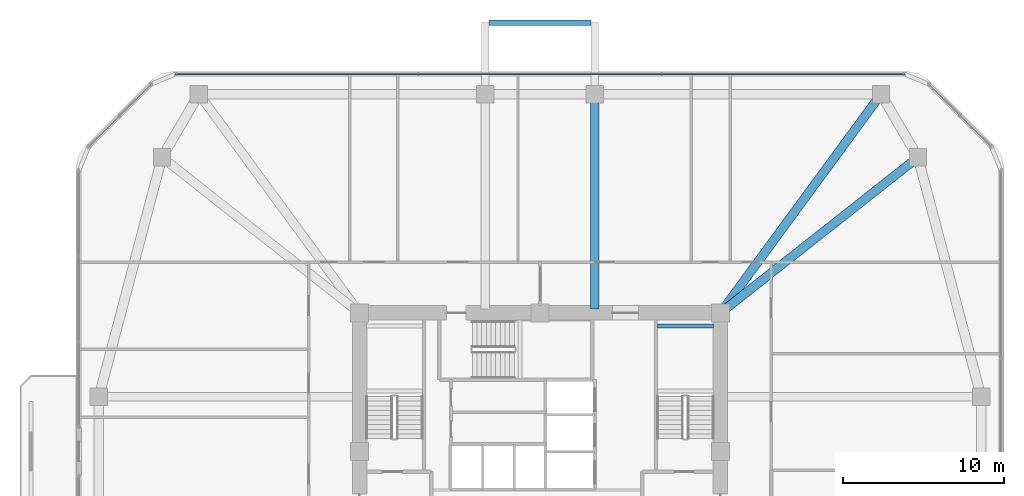
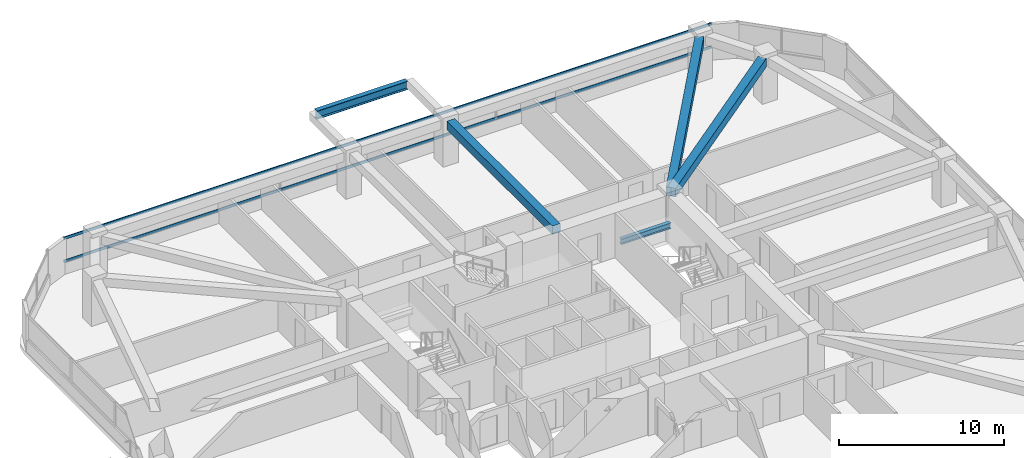
# One storey, part 6 of 14: 5 beams, 2 members, 1 element without a shape of its own.
"""IFC4 building model written with IfcOpenShell, lengths in metres."""

from ifc_helpers import new_model, si_unit, derived_unit, direction, frame, origin, origin_2d, place, context, subcontext, project, spatial, rectangle, i_section, extrude, material, material_profile, profile_set, type_object, element, aggregate, save


model = new_model("IFC4")

# Units and contexts
model_context = context("Model", 3, precision=1e-05, world=origin(), true_north=direction((0.0, 1.0)))
body_context = subcontext(model_context, "Body", "Model", "MODEL_VIEW")
ifc_project = project(units=[si_unit("LENGTHUNIT", "METRE"), si_unit("AREAUNIT", "SQUARE_METRE"), si_unit("VOLUMEUNIT", "CUBIC_METRE"), si_unit("PLANEANGLEUNIT", "RADIAN"), si_unit("MASSUNIT", "GRAM", prefix="KILO"), derived_unit("THERMALTRANSMITTANCEUNIT", [(si_unit("POWERUNIT", "WATT"), 1), (si_unit("LENGTHUNIT", "METRE"), -2), (si_unit("THERMODYNAMICTEMPERATUREUNIT", "KELVIN"), -1)])], contexts=[model_context])

# Site, building, storey
site_placement = place(None, origin())
site = spatial("IfcSite", under=ifc_project, at=site_placement, CompositionType="ELEMENT")
building_placement = place(site_placement, origin())
building = spatial("IfcBuilding", under=site, at=building_placement, Name="Koralith Skygarden Medical Center", CompositionType="ELEMENT")
storey_placement = place(building_placement, frame((0.0, 0.0, 34.739990234375)))
storey = spatial("IfcBuildingStorey", under=building, at=storey_placement, Name="L08", CompositionType="ELEMENT", Elevation=34.739990234375)

# Curtain wall, members
ifc_material_1 = material(Name="Clear Laminated Glass", Category="glass")
curtain_wall_type = type_object("IfcCurtainWallType", Name="CW-2 Zone 1 Hurricane Unitised Curtain Wall", PredefinedType="NOTDEFINED", material=ifc_material_1)
curtain_wall_placement = place(storey_placement, origin())
curtain_wall = element("IfcCurtainWall", 1, at=curtain_wall_placement, inside=storey, type_object=curtain_wall_type, Name="Curtain Wall CW-L08-N", PredefinedType="NOTDEFINED")
ifc_material_2 = material(Name="Aluminium 6063-T6", Category="aluminium")
ifc_material_profile_1 = material_profile(ifc_material_2, rectangle(XDim=0.06591796875, YDim=0.197998046875, at=origin_2d()), Name="TRN66X198")
ifc_profile_set_1 = profile_set([ifc_material_profile_1], Name="Aluminium 6063-T6")
member_type = type_object("IfcMemberType", Name="CW-2 Thermal Transom 66x198", PredefinedType="USERDEFINED", material=ifc_profile_set_1)
member_1_placement = place(storey_placement, frame((59.64501953125, 49.320068359375, 0.89990234375), z_axis=(-1.0, 0.0, 0.0), x_axis=(0.0, -1.0, 0.0)))
member_1 = element("IfcMember", 2, at=member_1_placement, type_object=member_type, Name="CW-L08-N Transom 1", ObjectType="TRANSOM", PredefinedType="USERDEFINED", context=body_context, shape_type="SweptSolid", body=[
    extrude(rectangle(XDim=0.06591796875, YDim=0.197998046875, at=origin_2d()), origin(), (0.0, 0.0, 1.0), 45.2900390625),
])
member_2_placement = place(storey_placement, frame((59.64501953125, 49.320068359375, 2.60009765625), z_axis=(-1.0, 0.0, 0.0), x_axis=(0.0, -1.0, 0.0)))
member_2 = element("IfcMember", 3, at=member_2_placement, type_object=member_type, Name="CW-L08-N Transom 2", ObjectType="TRANSOM", PredefinedType="USERDEFINED", context=body_context, shape_type="SweptSolid", body=[
    extrude(rectangle(XDim=0.06591796875, YDim=0.197998046875, at=origin_2d()), origin(), (0.0, 0.0, 1.0), 45.2900390625),
])
aggregate(curtain_wall, [member_1, member_2])

# Beams
ifc_material_3 = material(Name="Steel ASTM A992 Grade 50", Category="steel")
ifc_material_profile_2 = material_profile(ifc_material_3, i_section(OverallWidth=0.326904296875, OverallDepth=0.6220703125, WebThickness=0.015380859375, FlangeThickness=0.0244140625, at=origin_2d()), Name="W24X131")
ifc_profile_set_2 = profile_set([ifc_material_profile_2], Name="Steel ASTM A992 Grade 50")
beam_type_1 = type_object("IfcBeamType", Name="Cantilever Tie Beam W24X131", PredefinedType="BEAM", material=ifc_profile_set_2)
beam_1_placement = place(storey_placement, frame((33.820068359375, 52.52001953125, 3.029052734375), z_axis=(1.0, 0.0, 0.0), x_axis=(0.0, 1.0, 0.0)))
element("IfcBeam", 4, at=beam_1_placement, inside=storey, type_object=beam_type_1, Name="L09 N Balcony Tip Tie Beam", PredefinedType="BEAM", context=body_context, shape_type="SweptSolid", body=[
    extrude(i_section(OverallWidth=0.326904296875, OverallDepth=0.6220703125, WebThickness=0.015380859375, FlangeThickness=0.0244140625, at=origin_2d()), origin(), (0.0, 0.0, 1.0), 6.35986328125),
])
ifc_material_profile_3 = material_profile(ifc_material_3, i_section(OverallWidth=0.260009765625, OverallDepth=0.4150390625, WebThickness=0.010009765625, FlangeThickness=0.016845703125, at=origin_2d()), Name="W16X67")
ifc_profile_set_3 = profile_set([ifc_material_profile_3], Name="Steel ASTM A992 Grade 50")
beam_type_2 = type_object("IfcBeamType", Name="Clinical Floor Joist W16X67", PredefinedType="JOIST", material=ifc_profile_set_3)
beam_2_placement = place(storey_placement, frame((44.280029296875, 33.699951171875, 1.39208984375), z_axis=(1.0, 0.0, 0.0), x_axis=(0.0, 1.0, 0.0)))
element("IfcBeam", 5, at=beam_2_placement, inside=storey, type_object=beam_type_2, Name="L08 Stair ST2 Half-Landing Support Beam 1B", PredefinedType="JOIST", context=body_context, shape_type="SweptSolid", body=[
    extrude(i_section(OverallWidth=0.260009765625, OverallDepth=0.4150390625, WebThickness=0.010009765625, FlangeThickness=0.016845703125, at=origin_2d()), origin(), (0.0, 0.0, 1.0), 3.489990234375),
])
ifc_material_4 = material(Name="Concrete C45/55", Category="concrete")
ifc_material_profile_4 = material_profile(ifc_material_4, rectangle(XDim=0.550048828125, YDim=0.639892578125, at=origin_2d()), Name="RCB550X640")
ifc_profile_set_4 = profile_set([ifc_material_profile_4], Name="Concrete C45/55")
beam_type_3 = type_object("IfcBeamType", Name="Radial Collector Beam RCB550X640", PredefinedType="BEAM", material=ifc_profile_set_4)
beam_3_placement = place(storey_placement, frame((48.39599609375, 34.655029296875, 3.0), z_axis=(0.785497250365, 0.618865146594, 0.0), x_axis=(-0.618865146594, 0.785497250365, 0.0)))
element("IfcBeam", 6, at=beam_3_placement, inside=storey, type_object=beam_type_3, Name="L08 Radial Collector Beam RB-10", PredefinedType="BEAM", context=body_context, shape_type="SweptSolid", body=[
    extrude(rectangle(XDim=0.550048828125, YDim=0.639892578125, at=origin_2d()), origin(), (0.0, 0.0, 1.0), 14.828857421875),
])
beam_4_placement = place(storey_placement, frame((48.347900390625, 34.701904296875, 3.0), z_axis=(0.591710803277, 0.806150311843, 0.0), x_axis=(-0.806150311843, 0.591710803277, 0.0)))
element("IfcBeam", 7, at=beam_4_placement, inside=storey, type_object=beam_type_3, Name="L08 Radial Collector Beam RB-11", PredefinedType="BEAM", context=body_context, shape_type="SweptSolid", body=[
    extrude(rectangle(XDim=0.550048828125, YDim=0.639892578125, at=origin_2d()), origin(), (0.0, 0.0, 1.0), 16.0654296875),
])
beam_5_placement = place(storey_placement, frame((40.39990234375, 34.75, 3.0), z_axis=(0.0, 1.0, 0.0), x_axis=(-1.0, 0.0, 0.0)))
element("IfcBeam", 8, at=beam_5_placement, inside=storey, type_object=beam_type_3, Name="L08 Radial Collector Beam RB-12", PredefinedType="BEAM", context=body_context, shape_type="SweptSolid", body=[
    extrude(rectangle(XDim=0.550048828125, YDim=0.639892578125, at=origin_2d()), origin(), (0.0, 0.0, 1.0), 12.800048828125),
])

save(model, "model.ifc")
